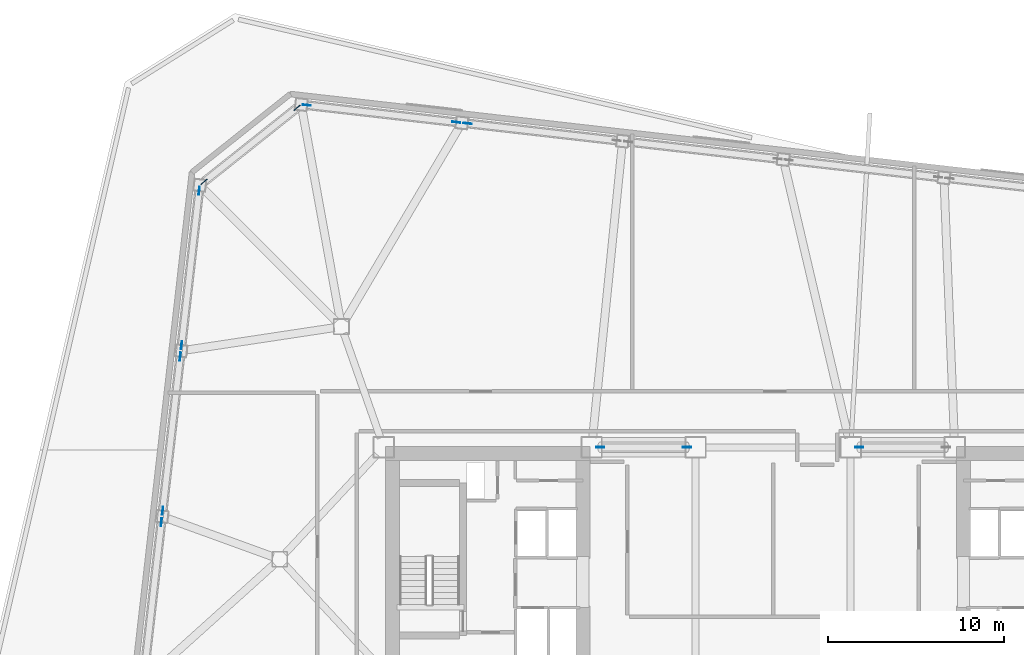
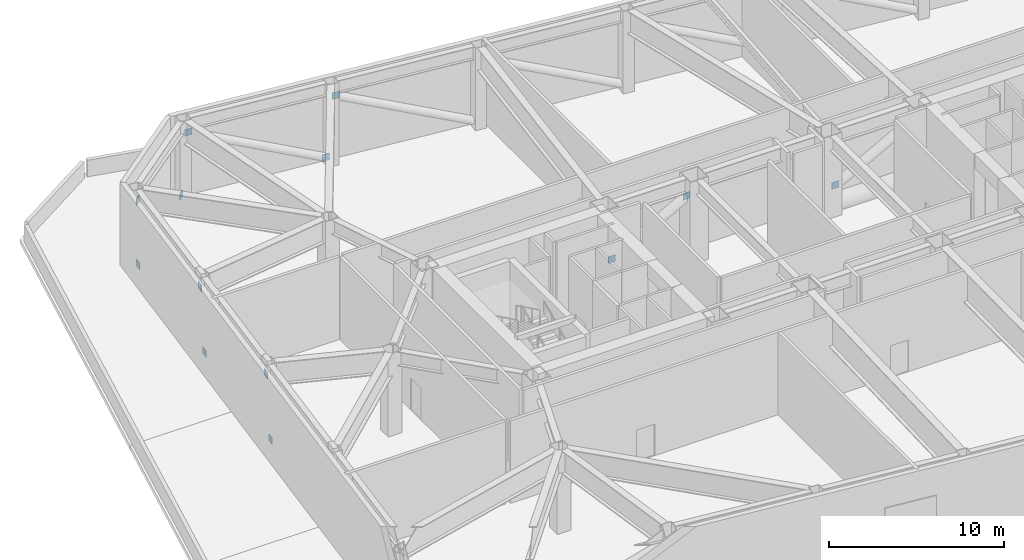
# One storey, part 10 of 14: 13 discrete accessories.
"""IFC4 building model written with IfcOpenShell, lengths in metres."""

from ifc_helpers import new_model, si_unit, direction, frame, origin, origin_2d, place, context, subcontext, project, spatial, rectangle, extrude, material, type_object, element, save


model = new_model("IFC4")

# Units and contexts
model_context = context("Model", 3, precision=1e-05, world=origin(), true_north=direction((0.0, 1.0)))
body_context = subcontext(model_context, "Body", "Model", "MODEL_VIEW")
ifc_project = project(units=[si_unit("LENGTHUNIT", "METRE"), si_unit("AREAUNIT", "SQUARE_METRE"), si_unit("VOLUMEUNIT", "CUBIC_METRE"), si_unit("PLANEANGLEUNIT", "RADIAN"), si_unit("MASSUNIT", "GRAM", prefix="KILO")], contexts=[model_context])

# Site, building, storey
site_placement = place(None, origin())
site = spatial("IfcSite", under=ifc_project, at=site_placement, CompositionType="ELEMENT")
building_placement = place(site_placement, origin())
building = spatial("IfcBuilding", under=site, at=building_placement, Name="Tavrogorsk Clinical Tower", CompositionType="ELEMENT")
storey_placement = place(building_placement, frame((0.0, 0.0, 83.39990234375)))
storey = spatial("IfcBuildingStorey", under=building, at=storey_placement, Name="L18", CompositionType="ELEMENT", Elevation=83.39990234375)

# Discrete accessories
ifc_material = material(Name="Structural steel S440", Category="steel")
discrete_accessory_type = type_object("IfcDiscreteAccessoryType", Name="GussetPlateBracket_25", PredefinedType="BRACKET", material=ifc_material)
for number, where, z_axis, x_axis, name in (
    (1, (-17.3447265625, 24.725830078125, 4.404296875), (0.0, 0.0, 1.0), (-0.993571855677, 0.113203213768, 0.0), "L18 Brace Gusset Plate EXOBELT-L18-19-B"),
    (2, (-17.985107421875, 24.798583984375, 0.276123046875), (0.0, 0.0, 1.0), (-0.993571855677, 0.113203213768, 0.0), "L18 Brace Gusset Plate EXOBELT-L18-20-A"),
    (3, (-26.462890625, 25.764404296875, 4.404296875), (0.0, 0.0, 1.0), (-0.993571855677, 0.113203213768, 0.0), "L18 Brace Gusset Plate EXOBELT-L18-20-B"),
    (4, (-27.02294921875, 25.610107421875, 0.30517578125), (0.0, 0.0, 1.0), (-0.782608156852, -0.622514636638, 0.0), "L18 Brace Gusset Plate EXOBELT-L18-21-A"),
    (5, (-32.29833984375, 21.413818359375, 4.375), (0.0, 0.0, 1.0), (-0.782608156852, -0.622514636638, 0.0), "L18 Brace Gusset Plate EXOBELT-L18-21-B"),
    (6, (-32.574951171875, 20.901123046875, 0.272216796875), (0.0, 0.0, 1.0), (-0.113203213768, -0.993571855677, 0.0), "L18 Brace Gusset Plate EXOBELT-L18-22-A"),
    (7, (-33.572509765625, 12.14599609375, 4.407958984375), (0.0, 0.0, 1.0), (-0.113203213768, -0.993571855677, 0.0), "L18 Brace Gusset Plate EXOBELT-L18-22-B"),
    (8, (-33.64599609375, 11.501953125, 0.272216796875), (0.0, 0.0, 1.0), (-0.113203213768, -0.993571855677, 0.0), "L18 Brace Gusset Plate EXOBELT-L18-23-A"),
    (9, (-34.643310546875, 2.74658203125, 4.407958984375), (0.0, 0.0, 1.0), (-0.113203213768, -0.993571855677, 0.0), "L18 Brace Gusset Plate EXOBELT-L18-23-B"),
    (10, (-34.716796875, 2.102783203125, 0.272216796875), (0.0, 0.0, 1.0), (-0.113203213768, -0.993571855677, 0.0), "L18 Brace Gusset Plate EXOBELT-L18-24-A"),
    (11, (-9.80810546875, 6.35009765625, 1.517822265625), (0.0, 0.0, 1.0), (1.0, 0.0, 0.0), "L18 Brace Gusset Plate ORDG-L18-02-A"),
    (12, (-4.891845703125, 6.35009765625, 4.1923828125), (0.0, 0.0, 1.0), (1.0, 0.0, 0.0), "L18 Brace Gusset Plate ORDG-L18-02-B"),
    (13, (4.891845703125, 6.35009765625, 1.517822265625), (0.0, 0.0, 1.0), (1.0, 0.0, 0.0), "L18 Brace Gusset Plate ORDG-L18-04-A"),
):
    element("IfcDiscreteAccessory", number, at=place(storey_placement, frame(where, z_axis=z_axis, x_axis=x_axis)), inside=storey, type_object=discrete_accessory_type, Name=name, PredefinedType="BRACKET", context=body_context, shape_type="SweptSolid", body=[
        extrude(rectangle(XDim=0.4599609375, YDim=0.0400390625, at=origin_2d()), origin(), (0.0, 0.0, 1.0), 0.4599609375),
    ])

save(model, "model.ifc")
